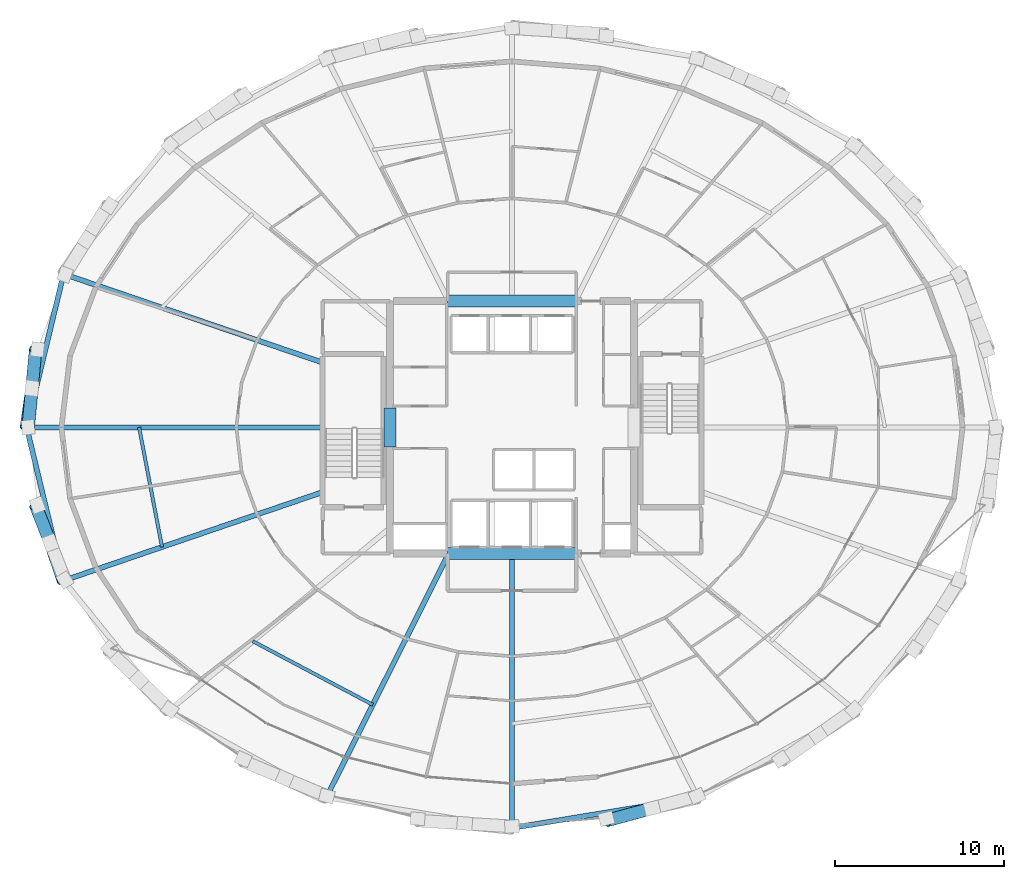
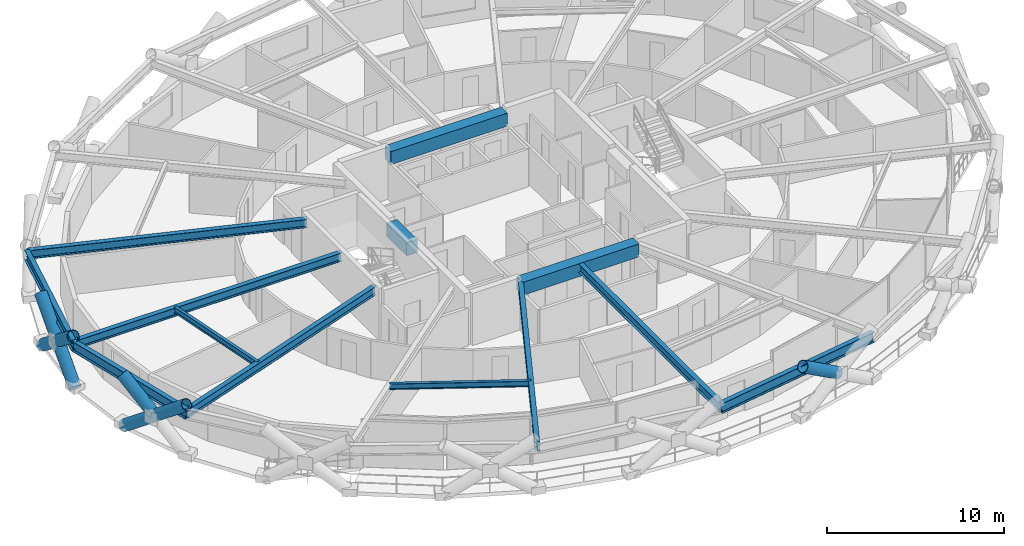
# One storey, part 5 of 17: 13 beams, 6 members.
"""IFC4 building model written with IfcOpenShell, lengths in metres."""

from ifc_helpers import new_model, si_unit, direction, frame, origin, origin_2d, place, context, subcontext, project, spatial, rectangle, hollow_circle, i_section, extrude, material, material_profile, profile_set, type_object, element, save


model = new_model("IFC4")

# Units and contexts
model_context = context("Model", 3, precision=1e-05, world=origin(), true_north=direction((0.0, 1.0)))
body_context = subcontext(model_context, "Body", "Model", "MODEL_VIEW")
ifc_project = project(units=[si_unit("LENGTHUNIT", "METRE"), si_unit("AREAUNIT", "SQUARE_METRE"), si_unit("VOLUMEUNIT", "CUBIC_METRE"), si_unit("PLANEANGLEUNIT", "RADIAN"), si_unit("MASSUNIT", "GRAM", prefix="KILO")], contexts=[model_context])

# Site, building, storey
site_placement = place(None, origin())
site = spatial("IfcSite", under=ifc_project, at=site_placement, CompositionType="ELEMENT")
building_placement = place(site_placement, origin())
building = spatial("IfcBuilding", under=site, at=building_placement, Name="Veldorina Hangang Commons", CompositionType="ELEMENT")
storey_placement = place(building_placement, frame((0.0, 0.0, 55.60009765625)))
storey = spatial("IfcBuildingStorey", under=building, at=storey_placement, Name="L13", CompositionType="ELEMENT", Elevation=55.60009765625)

# Beams
ifc_material_1 = material(Name="Concrete C70/85", Category="concrete")
ifc_material_profile_1 = material_profile(ifc_material_1, rectangle(XDim=0.699951171875, YDim=0.89990234375, at=origin_2d()), Name="RC-CB-700x900")
ifc_profile_set_1 = profile_set([ifc_material_profile_1], Name="Concrete C70/85")
beam_type_1 = type_object("IfcBeamType", Name="BM-CB900", PredefinedType="LINTEL", material=ifc_profile_set_1)
beam_1_placement = place(storey_placement, frame((24.800048828125, 22.85009765625, 2.889892578125), z_axis=(0.0, 1.0, 0.0), x_axis=(-1.0, 0.0, 0.0)))
element("IfcBeam", 1, at=beam_1_placement, inside=storey, type_object=beam_type_1, Name="L13 W core coupling lintel beam", PredefinedType="LINTEL", context=body_context, shape_type="SweptSolid", body=[
    extrude(rectangle(XDim=0.699951171875, YDim=0.89990234375, at=origin_2d()), origin(), (0.0, 0.0, 1.0), 2.2998046875),
])
for number, where, z_axis, x_axis, name in (
    (2, (28.199951171875, 16.550048828125, 2.889892578125), (1.0, 0.0, 0.0), (0.0, 1.0, 0.0), "L13 south core coupling beam"),
    (3, (28.199951171875, 31.449951171875, 2.889892578125), (1.0, 0.0, 0.0), (0.0, 1.0, 0.0), "L13 north core coupling beam"),
):
    element("IfcBeam", number, at=place(storey_placement, frame(where, z_axis=z_axis, x_axis=x_axis)), inside=storey, type_object=beam_type_1, Name=name, PredefinedType="LINTEL", context=body_context, shape_type="SweptSolid", body=[
        extrude(rectangle(XDim=0.699951171875, YDim=0.89990234375, at=origin_2d()), origin(), (0.0, 0.0, 1.0), 7.60009765625),
    ])
ifc_material_2 = material(Name="Steel SM460-TMC", Category="steel")
ifc_material_profile_2 = material_profile(ifc_material_2, i_section(OverallWidth=0.300048828125, OverallDepth=0.587890625, WebThickness=0.011962890625, FlangeThickness=0.02001953125, FilletRadius=0.01806640625, at=origin_2d()), Name="H-588x300x12x20")
ifc_profile_set_2 = profile_set([ifc_material_profile_2], Name="Steel SM460-TMC")
beam_type_2 = type_object("IfcBeamType", Name="BM-FG588", PredefinedType="BEAM", material=ifc_profile_set_2)
beam_2_placement = place(storey_placement, frame((20.820068359375, 27.82275390625, 3.0458984375), z_axis=(-0.946210846962, 0.323550665417, 0.0), x_axis=(-0.323550665417, -0.946210846962, 0.0)))
element("IfcBeam", 4, at=beam_2_placement, inside=storey, type_object=beam_type_2, Name="L13 radial floor girder 08", PredefinedType="BEAM", context=body_context, shape_type="SweptSolid", body=[
    extrude(i_section(OverallWidth=0.300048828125, OverallDepth=0.587890625, WebThickness=0.011962890625, FlangeThickness=0.02001953125, FilletRadius=0.01806640625, at=origin_2d()), origin(), (0.0, 0.0, 1.0), 16.162109375),
])
beam_3_placement = place(storey_placement, frame((20.820068359375, 24.0, 3.0458984375), z_axis=(-1.0, 0.0, 0.0), x_axis=(0.0, -1.0, 0.0)))
element("IfcBeam", 5, at=beam_3_placement, inside=storey, type_object=beam_type_2, Name="L13 radial floor girder 09", PredefinedType="BEAM", context=body_context, shape_type="SweptSolid", body=[
    extrude(i_section(OverallWidth=0.300048828125, OverallDepth=0.587890625, WebThickness=0.011962890625, FlangeThickness=0.02001953125, FilletRadius=0.01806640625, at=origin_2d()), origin(), (0.0, 0.0, 1.0), 17.473876953125),
])
beam_4_placement = place(storey_placement, frame((20.820068359375, 20.17724609375, 3.0458984375), z_axis=(-0.946210846962, -0.323550665417, 0.0), x_axis=(0.323550665417, -0.946210846962, 0.0)))
element("IfcBeam", 6, at=beam_4_placement, inside=storey, type_object=beam_type_2, Name="L13 radial floor girder 10", PredefinedType="BEAM", context=body_context, shape_type="SweptSolid", body=[
    extrude(i_section(OverallWidth=0.300048828125, OverallDepth=0.587890625, WebThickness=0.011962890625, FlangeThickness=0.02001953125, FilletRadius=0.01806640625, at=origin_2d()), origin(), (0.0, 0.0, 1.0), 16.162109375),
])
beam_5_placement = place(storey_placement, frame((28.26171875, 16.550048828125, 3.0458984375), z_axis=(-0.448473640797, -0.89379605812, 0.0), x_axis=(0.89379605812, -0.448473640797, 0.0)))
element("IfcBeam", 7, at=beam_5_placement, inside=storey, type_object=beam_type_2, Name="L13 radial floor girder 12", PredefinedType="BEAM", context=body_context, shape_type="SweptSolid", body=[
    extrude(i_section(OverallWidth=0.300048828125, OverallDepth=0.587890625, WebThickness=0.011962890625, FlangeThickness=0.02001953125, FilletRadius=0.01806640625, at=origin_2d()), origin(), (0.0, 0.0, 1.0), 16.11474609375),
])
beam_6_placement = place(storey_placement, frame((32.0, 16.550048828125, 3.0458984375), z_axis=(0.0, -1.0, 0.0), x_axis=(1.0, 0.0, 0.0)))
element("IfcBeam", 8, at=beam_6_placement, inside=storey, type_object=beam_type_2, Name="L13 radial floor girder 13", PredefinedType="BEAM", context=body_context, shape_type="SweptSolid", body=[
    extrude(i_section(OverallWidth=0.300048828125, OverallDepth=0.587890625, WebThickness=0.011962890625, FlangeThickness=0.02001953125, FilletRadius=0.01806640625, at=origin_2d()), origin(), (0.0, 0.0, 1.0), 16.203857421875),
])
ifc_material_3 = material(Name="Steel SM355-TMC", Category="steel")
ifc_material_profile_3 = material_profile(ifc_material_3, i_section(OverallWidth=0.199951171875, OverallDepth=0.39990234375, WebThickness=0.008056640625, FlangeThickness=0.012939453125, FilletRadius=0.012939453125, at=origin_2d()), Name="H-400x200x8x13")
ifc_profile_set_3 = profile_set([ifc_material_profile_3], Name="Steel SM355-TMC")
beam_type_3 = type_object("IfcBeamType", Name="BM-JST400", PredefinedType="JOIST", material=ifc_profile_set_3)
beam_7_placement = place(storey_placement, frame((9.986328125, 24.0, 3.139892578125), z_axis=(0.188002608484, -0.982168528921, 0.0), x_axis=(0.982168528921, 0.188002608484, 0.0)))
element("IfcBeam", 9, at=beam_7_placement, inside=storey, type_object=beam_type_3, Name="L13 secondary floor joist 09", PredefinedType="JOIST", context=body_context, shape_type="SweptSolid", body=[
    extrude(i_section(OverallWidth=0.199951171875, OverallDepth=0.39990234375, WebThickness=0.008056640625, FlangeThickness=0.012939453125, FilletRadius=0.012939453125, at=origin_2d()), origin(), (0.0, 0.0, 1.0), 7.19287109375),
])
beam_8_placement = place(storey_placement, frame((16.701904296875, 11.37158203125, 3.139892578125), z_axis=(0.883596603536, -0.468248910537, 0.0), x_axis=(0.468248910537, 0.883596603536, 0.0)))
element("IfcBeam", 10, at=beam_8_placement, inside=storey, type_object=beam_type_3, Name="L13 secondary floor joist 11", PredefinedType="JOIST", context=body_context, shape_type="SweptSolid", body=[
    extrude(i_section(OverallWidth=0.199951171875, OverallDepth=0.39990234375, WebThickness=0.008056640625, FlangeThickness=0.012939453125, FilletRadius=0.012939453125, at=origin_2d()), origin(), (0.0, 0.0, 1.0), 8.01171875),
])
ifc_material_profile_4 = material_profile(ifc_material_2, i_section(OverallWidth=0.300048828125, OverallDepth=0.699951171875, WebThickness=0.012939453125, FlangeThickness=0.02392578125, FilletRadius=0.02197265625, at=origin_2d()), Name="H-700x300x13x24")
ifc_profile_set_4 = profile_set([ifc_material_profile_4], Name="Steel SM460-TMC")
beam_type_4 = type_object("IfcBeamType", Name="BM-RB700", PredefinedType="BEAM", material=ifc_profile_set_4)
for number, where, z_axis, x_axis, name in (
    (11, (5.52734375, 33.052001953125, 2.989990234375), (-0.234253483016, -0.97217555292, 0.0), (0.97217555292, -0.234253483016, 0.0), "L13 perimeter hoop ring beam 14"),
    (12, (3.34619140625, 24.0, 2.989990234375), (0.234253483016, -0.97217555292, 0.0), (0.97217555292, 0.234253483016, 0.0), "L13 perimeter hoop ring beam 16"),
):
    element("IfcBeam", number, at=place(storey_placement, frame(where, z_axis=z_axis, x_axis=x_axis)), inside=storey, type_object=beam_type_4, Name=name, PredefinedType="BEAM", context=body_context, shape_type="SweptSolid", body=[
        extrude(i_section(OverallWidth=0.300048828125, OverallDepth=0.699951171875, WebThickness=0.012939453125, FlangeThickness=0.02392578125, FilletRadius=0.02197265625, at=origin_2d()), origin(), (0.0, 0.0, 1.0), 9.31103515625),
    ])
beam_9_placement = place(storey_placement, frame((32.0, 0.34619140625, 2.989990234375), z_axis=(0.986785369313, 0.162032820472, 0.0), x_axis=(-0.162032820472, 0.986785369313, 0.0)))
element("IfcBeam", 13, at=beam_9_placement, inside=storey, type_object=beam_type_4, Name="L13 perimeter hoop ring beam 24", PredefinedType="BEAM", context=body_context, shape_type="SweptSolid", body=[
    extrude(i_section(OverallWidth=0.300048828125, OverallDepth=0.699951171875, WebThickness=0.012939453125, FlangeThickness=0.02392578125, FilletRadius=0.02197265625, at=origin_2d()), origin(), (0.0, 0.0, 1.0), 11.112060546875),
])

# Members
ifc_material_profile_5 = material_profile(ifc_material_2, hollow_circle(Radius=0.375, WallThickness=0.035888671875, at=origin_2d()), Name="CHS-750x36")
ifc_profile_set_5 = profile_set([ifc_material_profile_5], Name="Steel SM460-TMC")
member_type = type_object("IfcMemberType", Name="DG-CHS750", PredefinedType="BRACE", material=ifc_profile_set_5)
member_1_placement = place(storey_placement, frame((3.988037109375, 28.596435546875, 0.0), z_axis=(-0.112438746114, -0.782292783845, 0.612678976884), x_axis=(0.989828209441, -0.142267760915, 0.0)))
element("IfcMember", 14, at=member_1_placement, inside=storey, type_object=member_type, Name="L13 continuous perimeter diagrid brace 15", PredefinedType="BRACE", context=body_context, shape_type="SweptSolid", body=[
    extrude(hollow_circle(Radius=0.375, WallThickness=0.035888671875, at=origin_2d()), origin(), (0.0, 0.0, 1.0), 5.87548828125),
])
member_2_placement = place(storey_placement, frame((3.439208984375, 24.0, 0.0), z_axis=(0.074848791985, 0.786495769677, 0.613043279565), x_axis=(-0.995502108383, 0.094739390984, 0.0)))
element("IfcMember", 15, at=member_2_placement, inside=storey, type_object=member_type, Name="L13 split perimeter diagrid lower brace 16", PredefinedType="BRACE", context=body_context, shape_type="SweptSolid", body=[
    extrude(hollow_circle(Radius=0.375, WallThickness=0.035888671875, at=origin_2d()), origin(), (0.0, 0.0, 1.0), 2.92919921875),
])
member_3_placement = place(storey_placement, frame((3.658447265625, 26.3037109375, 1.795654296875), z_axis=(0.074660788937, 0.786509933239, 0.613048033608), x_axis=(-0.995524684194, 0.094501868555, 0.0)))
element("IfcMember", 16, at=member_3_placement, inside=storey, type_object=member_type, Name="L13 split perimeter diagrid upper brace 16", PredefinedType="BRACE", context=body_context, shape_type="SweptSolid", body=[
    extrude(hollow_circle(Radius=0.375, WallThickness=0.035888671875, at=origin_2d()), origin(), (0.0, 0.0, 1.0), 2.943115234375),
])
member_4_placement = place(storey_placement, frame((3.988037109375, 19.403564453125, 0.0), z_axis=(0.256562844861, -0.75227979487, 0.606836565203), x_axis=(0.946470286353, 0.322790949457, 0.0)))
element("IfcMember", 17, at=member_4_placement, inside=storey, type_object=member_type, Name="L13 continuous perimeter diagrid brace 17", PredefinedType="BRACE", context=body_context, shape_type="SweptSolid", body=[
    extrude(hollow_circle(Radius=0.375, WallThickness=0.035888671875, at=origin_2d()), origin(), (0.0, 0.0, 1.0), 5.93212890625),
])
member_5_placement = place(storey_placement, frame((4.747314453125, 17.177490234375, 1.795654296875), z_axis=(-0.291851829271, 0.740123122094, 0.605838488289), x_axis=(-0.930284817763, -0.366838053969, 0.0)))
element("IfcMember", 18, at=member_5_placement, inside=storey, type_object=member_type, Name="L13 split perimeter diagrid upper brace 18", PredefinedType="BRACE", context=body_context, shape_type="SweptSolid", body=[
    extrude(hollow_circle(Radius=0.375, WallThickness=0.035888671875, at=origin_2d()), origin(), (0.0, 0.0, 1.0), 2.97802734375),
])
member_6_placement = place(storey_placement, frame((40.266845703125, 1.509521484375, 1.79638671875), z_axis=(-0.808660447522, -0.220020045042, 0.545581763252), x_axis=(0.262535707865, -0.964922277749, 0.0)))
element("IfcMember", 19, at=member_6_placement, inside=storey, type_object=member_type, Name="L13 split perimeter diagrid upper brace 26", PredefinedType="BRACE", context=body_context, shape_type="SweptSolid", body=[
    extrude(hollow_circle(Radius=0.375, WallThickness=0.035888671875, at=origin_2d()), origin(), (0.0, 0.0, 1.0), 3.3056640625),
])

save(model, "model.ifc")
